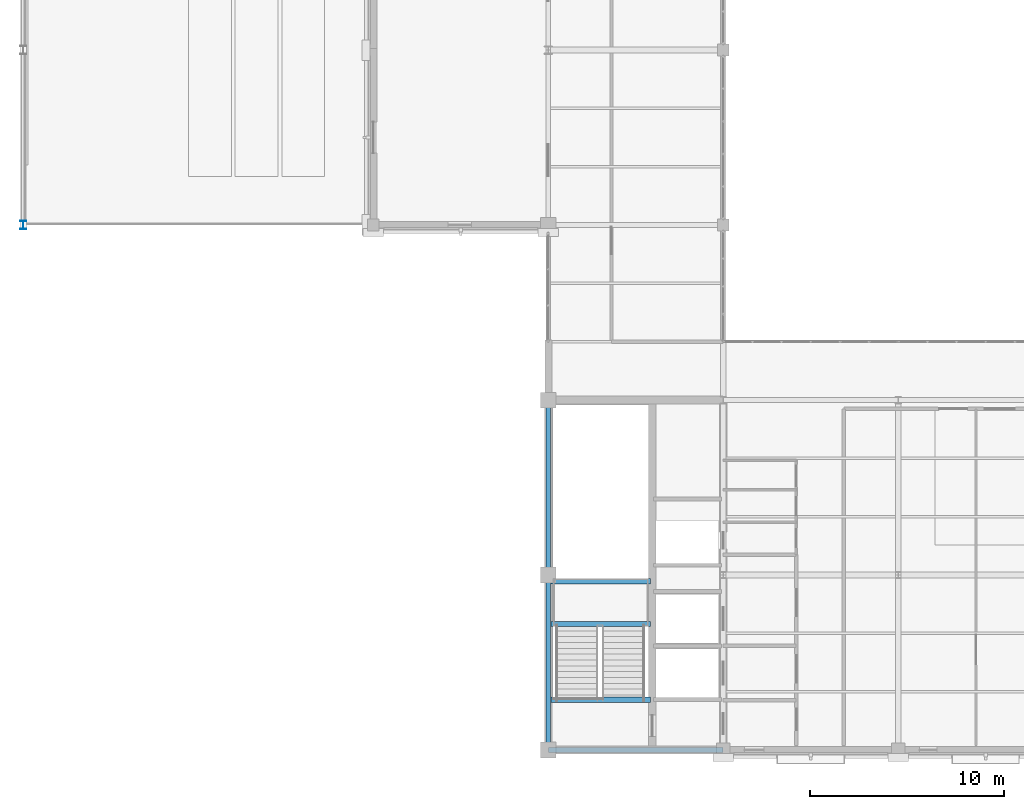
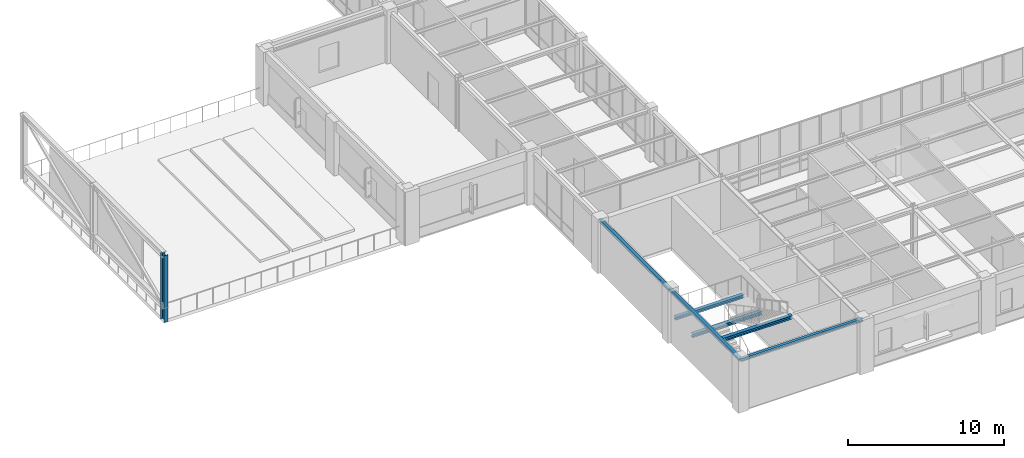
# One storey, part 12 of 97: 6 beams, 1 member.
"""IFC4 building model written with IfcOpenShell, lengths in metres."""

from ifc_helpers import new_model, si_unit, direction, frame, origin, origin_2d, place, context, subcontext, project, spatial, i_section, extrude, material, material_profile, profile_set, type_object, element, save


model = new_model("IFC4")

# Units and contexts
model_context = context("Model", 3, precision=1e-05, world=origin(), true_north=direction((0.0, 1.0)))
body_context = subcontext(model_context, "Body", "Model", "MODEL_VIEW")
ifc_project = project(units=[si_unit("LENGTHUNIT", "METRE"), si_unit("AREAUNIT", "SQUARE_METRE"), si_unit("VOLUMEUNIT", "CUBIC_METRE"), si_unit("PLANEANGLEUNIT", "RADIAN"), si_unit("MASSUNIT", "GRAM", prefix="KILO")], contexts=[model_context])

# Site, building, storey
site_placement = place(None, origin())
site = spatial("IfcSite", under=ifc_project, at=site_placement, CompositionType="ELEMENT")
building_placement = place(site_placement, origin())
building = spatial("IfcBuilding", under=site, at=building_placement, Name="Lykobir Media Centre", CompositionType="ELEMENT")
storey_placement = place(building_placement, frame((0.0, 0.0, 23.39990234375)))
storey = spatial("IfcBuildingStorey", under=building, at=storey_placement, Name="L05", CompositionType="ELEMENT", Elevation=23.39990234375)

# Beams
ifc_material = material(Name="Steel S355", Category="steel")
ifc_material_profile_1 = material_profile(ifc_material, i_section(OverallWidth=0.260009765625, OverallDepth=0.25, WebThickness=0.007568359375, FlangeThickness=0.012451171875, at=origin_2d()), Name="HEA 260")
ifc_profile_set_1 = profile_set([ifc_material_profile_1], Name="Steel S355")
beam_type_1 = type_object("IfcBeamType", Name="BM-ST260", PredefinedType="BEAM", material=ifc_profile_set_1)
beam_1_placement = place(storey_placement, frame((27.1298828125, 8.679931640625, 1.780029296875), z_axis=(1.0, 0.0, 0.0), x_axis=(0.0, 1.0, 0.0)))
element("IfcBeam", 1, at=beam_1_placement, inside=storey, type_object=beam_type_1, Name="ST-1 L05 half-landing support beam", PredefinedType="BEAM", context=body_context, shape_type="SweptSolid", body=[
    extrude(i_section(OverallWidth=0.260009765625, OverallDepth=0.25, WebThickness=0.007568359375, FlangeThickness=0.012451171875, at=origin_2d()), origin(), (0.0, 0.0, 1.0), 5.14013671875),
])
ifc_material_profile_2 = material_profile(ifc_material, i_section(OverallWidth=0.280029296875, OverallDepth=0.27001953125, WebThickness=0.008056640625, FlangeThickness=0.012939453125, at=origin_2d()), Name="HEA 280")
ifc_profile_set_2 = profile_set([ifc_material_profile_2], Name="Steel S355")
beam_type_2 = type_object("IfcBeamType", Name="BM-ST280", PredefinedType="BEAM", material=ifc_profile_set_2)
for number, where, z_axis, x_axis, name in (
    (2, (27.1298828125, 2.580078125, 3.8251953125), (1.0, 0.0, 0.0), (0.0, 1.0, 0.0), "ST-1 L05 arrival trimmer beam"),
    (3, (27.1298828125, 6.47998046875, 1.77001953125), (1.0, 0.0, 0.0), (0.0, 1.0, 0.0), "ST-1 L05 mid-landing trimmer beam"),
):
    element("IfcBeam", number, at=place(storey_placement, frame(where, z_axis=z_axis, x_axis=x_axis)), inside=storey, type_object=beam_type_2, Name=name, PredefinedType="BEAM", context=body_context, shape_type="SweptSolid", body=[
        extrude(i_section(OverallWidth=0.280029296875, OverallDepth=0.27001953125, WebThickness=0.008056640625, FlangeThickness=0.012939453125, at=origin_2d()), origin(), (0.0, 0.0, 1.0), 5.14013671875),
    ])
ifc_material_profile_3 = material_profile(ifc_material, i_section(OverallWidth=0.239990234375, OverallDepth=0.22998046875, WebThickness=0.007568359375, FlangeThickness=0.011962890625, at=origin_2d()), Name="HEA 240")
ifc_profile_set_3 = profile_set([ifc_material_profile_3], Name="Steel S355")
beam_type_3 = type_object("IfcBeamType", Name="SP-HEA240", PredefinedType="SPANDREL", material=ifc_profile_set_3)
for number, where, z_axis, x_axis, name in (
    (4, (27.0, 0.0, 3.84521484375), (0.0, 1.0, 0.0), (-1.0, 0.0, 0.0), "Beam BM-L05-0270-0000-0270-0090-2724"),
    (5, (27.0, 9.0, 3.84521484375), (0.0, 1.0, 0.0), (-1.0, 0.0, 0.0), "Beam BM-L05-0270-0090-0270-0180-2724"),
):
    element("IfcBeam", number, at=place(storey_placement, frame(where, z_axis=z_axis, x_axis=x_axis)), inside=storey, type_object=beam_type_3, Name=name, PredefinedType="SPANDREL", context=body_context, shape_type="SweptSolid", body=[
        extrude(i_section(OverallWidth=0.239990234375, OverallDepth=0.22998046875, WebThickness=0.007568359375, FlangeThickness=0.011962890625, at=origin_2d()), origin(), (0.0, 0.0, 1.0), 9.0),
    ])
ifc_material_profile_4 = material_profile(ifc_material, i_section(OverallWidth=0.239990234375, OverallDepth=0.22998046875, WebThickness=0.007568359375, FlangeThickness=0.011962890625, at=origin_2d()), Name="HEA 240")
ifc_profile_set_4 = profile_set([ifc_material_profile_4], Name="Steel S355")
beam_type_4 = type_object("IfcBeamType", Name="SP-HEA240-E", PredefinedType="SPANDREL", material=ifc_profile_set_4)
beam_2_placement = place(storey_placement, frame((27.0, 0.0, 3.84521484375), z_axis=(1.0, 0.0, 0.0), x_axis=(0.0, 1.0, 0.0)))
element("IfcBeam", 6, at=beam_2_placement, inside=storey, type_object=beam_type_4, Name="Beam BM-L05-0270-0000-0360-0000-2724", PredefinedType="SPANDREL", context=body_context, shape_type="SweptSolid", body=[
    extrude(i_section(OverallWidth=0.239990234375, OverallDepth=0.22998046875, WebThickness=0.007568359375, FlangeThickness=0.011962890625, at=origin_2d()), origin(), (0.0, 0.0, 1.0), 9.0),
])

# Member
ifc_material_profile_5 = material_profile(ifc_material, i_section(OverallWidth=0.300048828125, OverallDepth=0.43994140625, WebThickness=0.011474609375, FlangeThickness=0.02099609375, at=origin_2d()), Name="HEA 450")
ifc_profile_set_5 = profile_set([ifc_material_profile_5], Name="Steel S355")
member_type = type_object("IfcMemberType", Name="TC-HEA450-E", PredefinedType="CHORD", material=ifc_profile_set_5)
member_placement = place(storey_placement, frame((0.0, 27.0, 0.0), z_axis=(0.0, 0.0, 1.0), x_axis=(1.0, 0.0, 0.0)))
element("IfcMember", 7, at=member_placement, inside=storey, type_object=member_type, Name="Truss chord MEM2-L05-0000-0270-0234-0000-0270-0133", PredefinedType="CHORD", context=body_context, shape_type="SweptSolid", body=[
    extrude(i_section(OverallWidth=0.300048828125, OverallDepth=0.43994140625, WebThickness=0.011474609375, FlangeThickness=0.02099609375, at=origin_2d()), origin(), (0.0, 0.0, 1.0), 5.2001953125),
])

save(model, "model.ifc")
